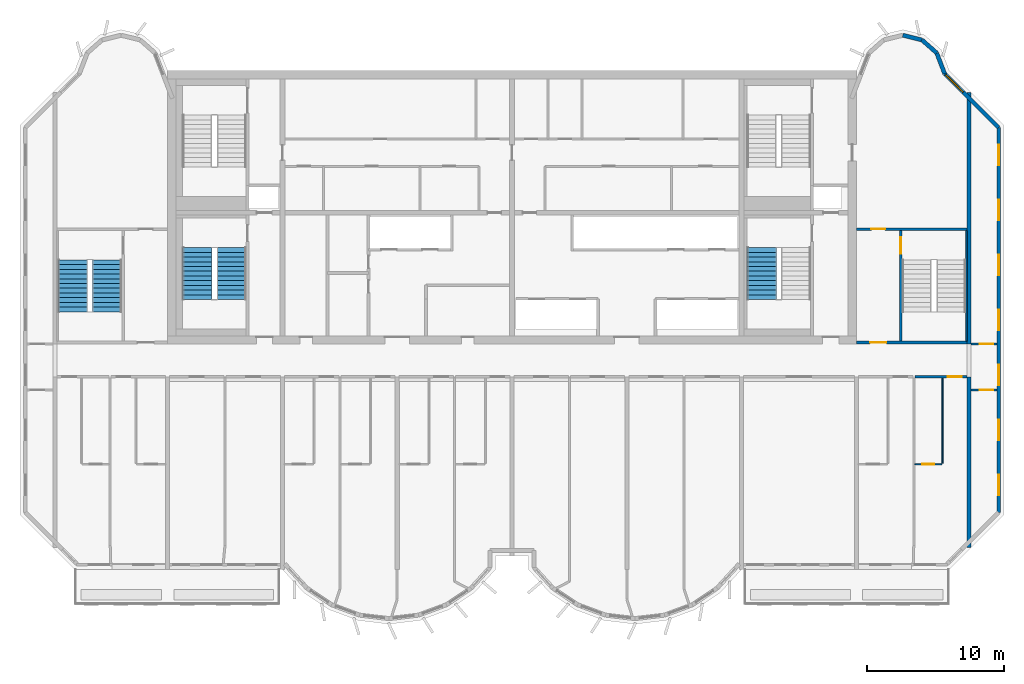
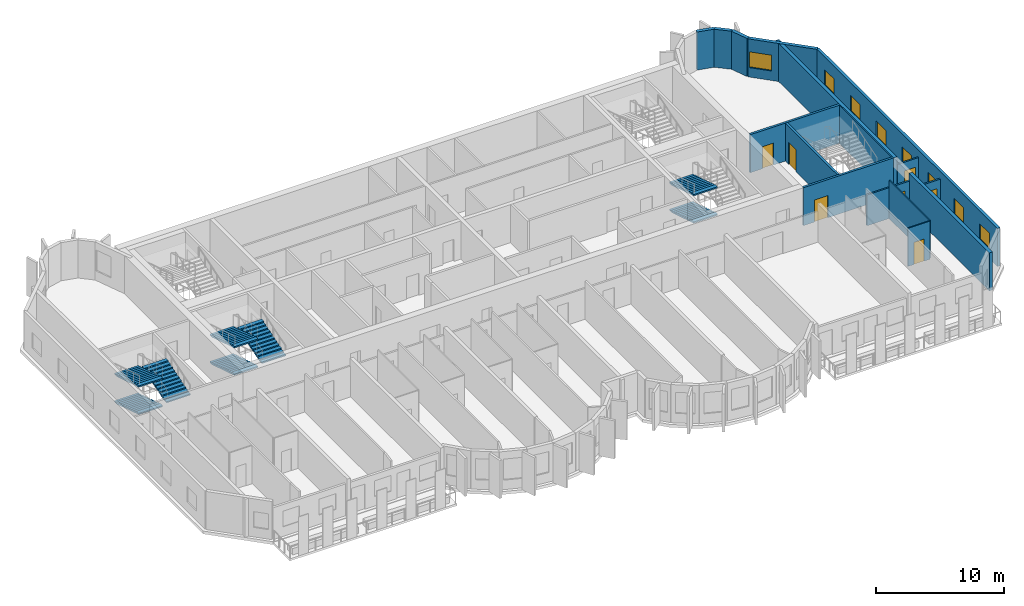
# One storey, part 8 of 11: 16 walls, 8 stair flights, 8 windows, 7 doors, 15 openings, 3 elements without a shape of their own.
"""IFC4 building model written with IfcOpenShell, lengths in metres."""

import ifcopenshell
import ifcopenshell.guid

model = None  # the IFC model being written
_history = None  # IfcOwnerHistory: only IFC2X3 demands one
_inside = {}  # id of a spatial element -> (the spatial element, [elements in it])
_under = {}  # id of a project, library or spatial element -> (it, [spatial elements below it])
_declared = {}  # id of a project -> (the project, [libraries it declares])
_typed = {}  # id of a type object -> (the type object, [elements of that type])
_made_of = {}  # id of a material, layer set ... -> (it, [elements and type objects made of it])


def new_model(schema):
    """Start an empty IFC model of exactly this schema.

    Asked for "IFC4X3", IfcOpenShell would pick the latest addendum, in which some entities
    have other attributes; the version numbers below select the first issue.
    IFC2X3 requires an IfcOwnerHistory on every rooted entity: one is made here for all.
    """
    global model, _history
    if schema == "IFC4X3":
        model = ifcopenshell.file(schema_version=(4, 3, 0, 0))
    else:
        model = ifcopenshell.file(schema=schema)
    _inside.clear()
    _under.clear()
    _declared.clear()
    _typed.clear()
    _made_of.clear()
    _history = None
    if model.schema == "IFC2X3":
        org = make("IfcOrganization", Name="unknown")
        user = make(
            "IfcPersonAndOrganization",
            ThePerson=make("IfcPerson", FamilyName="unknown"),
            TheOrganization=org,
        )
        app = make(
            "IfcApplication",
            ApplicationDeveloper=org,
            Version="unknown",
            ApplicationFullName="unknown",
            ApplicationIdentifier="unknown",
        )
        _history = make(
            "IfcOwnerHistory",
            OwningUser=user,
            OwningApplication=app,
            ChangeAction="ADDED",
            CreationDate=0,
        )
    return model


def make(cls, **values):
    """One entity of the class cls with the attributes given. An attribute that is None is left unset."""
    return model.create_entity(
        cls, **{name: value for name, value in values.items() if value is not None}
    )


def rooted(cls, **values):
    """An entity with a GlobalId (a new one), such as an element, a storey or a relation."""
    return make(cls, GlobalId=ifcopenshell.guid.new(), OwnerHistory=_history, **values)


def si_unit(unit_type, name, prefix=None):
    """IfcSIUnit, for example si_unit("LENGTHUNIT", "METRE", prefix="MILLI")."""
    return make("IfcSIUnit", UnitType=unit_type, Prefix=prefix, Name=name)


def assignment(units):
    """IfcUnitAssignment: the units of a project."""
    return None if units is None else make("IfcUnitAssignment", Units=units)


def point(xyz):
    """IfcCartesianPoint."""
    return None if xyz is None else make("IfcCartesianPoint", Coordinates=xyz)


def direction(xyz):
    """IfcDirection."""
    return None if xyz is None else make("IfcDirection", DirectionRatios=xyz)


def frame(location, z_axis=None, x_axis=None):
    """IfcAxis2Placement3D, a coordinate frame: its origin and axes. An axis left out is left unset."""
    return make(
        "IfcAxis2Placement3D",
        Location=point(location),
        Axis=direction(z_axis),
        RefDirection=direction(x_axis),
    )


def frame_2d(location, x_axis=None):
    """IfcAxis2Placement2D, a coordinate frame in the plane: its origin and x axis."""
    return make(
        "IfcAxis2Placement2D", Location=point(location), RefDirection=direction(x_axis)
    )


def origin():
    """The frame at (0, 0, 0) with its axes left unset."""
    return frame((0.0, 0.0, 0.0))


def place(relative_to, where):
    """IfcLocalPlacement: puts the frame where relative to a parent placement (None: the world)."""
    return make(
        "IfcLocalPlacement", PlacementRelTo=relative_to, RelativePlacement=where
    )


def context(
    kind, dimensions, precision=None, world=None, true_north=None, identifier=None
):
    """IfcGeometricRepresentationContext, for example the 3D "Model" context."""
    return make(
        "IfcGeometricRepresentationContext",
        ContextIdentifier=identifier,
        ContextType=kind,
        CoordinateSpaceDimension=dimensions,
        Precision=precision,
        WorldCoordinateSystem=world,
        TrueNorth=true_north,
    )


def subcontext(parent, identifier, kind, view, scale=None):
    """IfcGeometricRepresentationSubContext, for example "Body" below "Model"."""
    return make(
        "IfcGeometricRepresentationSubContext",
        ContextIdentifier=identifier,
        ContextType=kind,
        ParentContext=parent,
        TargetScale=scale,
        TargetView=view,
    )


def project(units=None, contexts=None):
    """IfcProject with its units and contexts."""
    return rooted(
        "IfcProject",
        Name="project",
        RepresentationContexts=contexts,
        UnitsInContext=assignment(units),
    )


def spatial(cls, under=None, at=None, **own):
    """A site, building, storey or space (cls), placed at a placement, below another one or the project."""
    s = rooted(cls, ObjectPlacement=at, **own)
    if under is not None:
        _under.setdefault(under.id(), (under, []))[1].append(s)
    return s


def polyline(points):
    """IfcPolyline through the points."""
    return make("IfcPolyline", Points=[point(p) for p in points])


def profile(cls, at=None, kind="AREA", **sizes):
    """A parametric profile (cls). Its sizes go by their IFC names, for example OverallWidth=200.0."""
    return make(cls, ProfileType=kind, Position=at, **sizes)


def rectangle(**sizes):
    """IfcRectangleProfileDef."""
    return profile("IfcRectangleProfileDef", **sizes)


def outline(outer, holes=None, kind="AREA"):
    """IfcArbitraryClosedProfileDef: a profile drawn as a closed curve; with holes, ...WithVoids."""
    if holes is None:
        return make("IfcArbitraryClosedProfileDef", ProfileType=kind, OuterCurve=outer)
    return make(
        "IfcArbitraryProfileDefWithVoids",
        ProfileType=kind,
        OuterCurve=outer,
        InnerCurves=holes,
    )


def extrude(swept, where, along, depth):
    """IfcExtrudedAreaSolid: the profile swept, set in the frame where, extruded along a direction by depth."""
    return make(
        "IfcExtrudedAreaSolid",
        SweptArea=swept,
        Position=where,
        ExtrudedDirection=direction(along),
        Depth=depth,
    )


def shape(context_of_items, identifier, shape_type, items):
    """IfcShapeRepresentation: the items that make up one representation, for example the "Body"."""
    return make(
        "IfcShapeRepresentation",
        ContextOfItems=context_of_items,
        RepresentationIdentifier=identifier,
        RepresentationType=shape_type,
        Items=items,
    )


def source(mapping_origin, context_of_items, identifier, shape_type, items):
    """IfcRepresentationMap: a shape defined once, which mapped items show again and again."""
    return make(
        "IfcRepresentationMap",
        MappingOrigin=mapping_origin,
        MappedRepresentation=shape(context_of_items, identifier, shape_type, items),
    )


def transform(
    local_origin,
    x_axis=None,
    y_axis=None,
    z_axis=None,
    scale=None,
    scale2=None,
    scale3=None,
    uniform=True,
):
    """IfcCartesianTransformationOperator3D, or its non-uniform kind. x_axis, y_axis, z_axis: its Axis1, 2, 3."""
    if uniform:
        return make(
            "IfcCartesianTransformationOperator3D",
            Axis1=direction(x_axis),
            Axis2=direction(y_axis),
            LocalOrigin=point(local_origin),
            Scale=scale,
            Axis3=direction(z_axis),
        )
    return make(
        "IfcCartesianTransformationOperator3DnonUniform",
        Axis1=direction(x_axis),
        Axis2=direction(y_axis),
        LocalOrigin=point(local_origin),
        Scale=scale,
        Axis3=direction(z_axis),
        Scale2=scale2,
        Scale3=scale3,
    )


def mapped(mapping_source, mapping_target):
    """IfcMappedItem: shows the shape of a source again, moved by a transform."""
    return make(
        "IfcMappedItem", MappingSource=mapping_source, MappingTarget=mapping_target
    )


def material(Name=None, Category=None):
    """IfcMaterial."""
    return make("IfcMaterial", Name=Name, Category=Category)


def layer(
    of_material, thickness, ventilated=None, Name=None, Category=None, Priority=None
):
    """IfcMaterialLayer: one layer of a wall or slab, of a material (None: an air gap)."""
    return make(
        "IfcMaterialLayer",
        Material=of_material,
        LayerThickness=thickness,
        IsVentilated=ventilated,
        Name=Name,
        Category=Category,
        Priority=Priority,
    )


def layer_set(layers, Name=None):
    """IfcMaterialLayerSet."""
    return make("IfcMaterialLayerSet", MaterialLayers=layers, LayerSetName=Name)


def made_of(thing, what):
    """Note that an element or type object is made of a material, layer set ...; save() writes the relation."""
    if what is not None:
        _made_of.setdefault(what.id(), (what, []))[1].append(thing)
    return thing


def type_object(cls, material=None, **own):
    """A type object (cls), such as IfcWallType, which elements share."""
    return made_of(rooted(cls, **own), material)


def element(
    cls,
    number,
    at=None,
    inside=None,
    cuts=None,
    type_object=None,
    material=None,
    context=None,
    identifier="Body",
    shape_type=None,
    held_by="IfcProductDefinitionShape",
    body=None,
    shapes=None,
    **own,
):
    """One element of the class cls, such as IfcWall. Its Tag is "e" and its number.

    at: its placement. inside: the storey or other place that contains it. cuts: it is an
    opening in that element (IfcRelVoidsElement). A single representation is given by context,
    identifier, shape_type and body (its items); several are given by shapes. held_by: the class
    of the entity that holds the representations. save() writes the other relations.
    """
    e = rooted(cls, Tag="e%d" % number, ObjectPlacement=at, **own)
    if body is not None:
        shapes = [shape(context, identifier, shape_type, body)]
    if shapes is not None:
        e.Representation = make(held_by, Representations=shapes)
    if inside is not None:
        _inside.setdefault(inside.id(), (inside, []))[1].append(e)
    if cuts is not None:
        rooted(
            "IfcRelVoidsElement", RelatingBuildingElement=cuts, RelatedOpeningElement=e
        )
    if type_object is not None:
        _typed.setdefault(type_object.id(), (type_object, []))[1].append(e)
    return made_of(e, material)


def fill(opening, filler):
    """IfcRelFillsElement: the door or window that sits in an opening."""
    return rooted(
        "IfcRelFillsElement",
        RelatingOpeningElement=opening,
        RelatedBuildingElement=filler,
    )


def aggregate(whole, parts):
    """IfcRelAggregates: a whole, such as a stair, and the parts it consists of."""
    return rooted("IfcRelAggregates", RelatingObject=whole, RelatedObjects=parts)


def save(model, path):
    """Write the relations noted so far, then the file.

    IfcRelAggregates (storeys below a building ...), IfcRelContainedInSpatialStructure (elements
    in a storey), IfcRelDefinesByType, IfcRelAssociatesMaterial and IfcRelDeclares: one each for
    every whole, place, type object, material and project.
    """
    for whole, parts in _under.values():
        aggregate(whole, parts)
    for where, things in _inside.values():
        rooted(
            "IfcRelContainedInSpatialStructure",
            RelatedElements=things,
            RelatingStructure=where,
        )
    for kind, things in _typed.values():
        rooted("IfcRelDefinesByType", RelatedObjects=things, RelatingType=kind)
    for what, things in _made_of.values():
        rooted("IfcRelAssociatesMaterial", RelatedObjects=things, RelatingMaterial=what)
    for by, libraries in _declared.values():
        rooted("IfcRelDeclares", RelatingContext=by, RelatedDefinitions=libraries)
    model.write(path)


model = new_model("IFC4")

# Units and contexts
model_context = context("Model", 3, precision=1e-05, world=origin(), true_north=direction((0.0, 1.0)))
body_context = subcontext(model_context, "Body", "Model", "MODEL_VIEW")
ifc_project = project(units=[si_unit("LENGTHUNIT", "METRE"), si_unit("AREAUNIT", "SQUARE_METRE"), si_unit("VOLUMEUNIT", "CUBIC_METRE"), si_unit("PLANEANGLEUNIT", "RADIAN"), si_unit("MASSUNIT", "GRAM", prefix="KILO")], contexts=[model_context])

# Site, building, storey
site_placement = place(None, origin())
site = spatial("IfcSite", under=ifc_project, at=site_placement, CompositionType="ELEMENT")
building_placement = place(site_placement, origin())
building = spatial("IfcBuilding", under=site, at=building_placement, Name="Vanashikhar Sky Hotel", CompositionType="ELEMENT")
storey_placement = place(building_placement, frame((0.0, 0.0, 241.300048828125)))
storey = spatial("IfcBuildingStorey", under=building, at=storey_placement, Name="L58", CompositionType="ELEMENT", Elevation=241.300048828125)

# Walls
ifc_material_1 = material(Name="Concrete M60", Category="concrete")
ifc_layer_1 = layer(ifc_material_1, 0.300048828125)
ifc_layer_set_1 = layer_set([ifc_layer_1], Name="RC shear wall 300 Concrete M60")
wall_type_1 = type_object("IfcWallType", Name="RC shear wall 300 Concrete M60", PredefinedType="SHEAR", material=ifc_layer_set_1)
shared_shape_1 = source(origin(), body_context, "Body", "SweptSolid", [
    extrude(rectangle(XDim=12.5, YDim=0.300048828125, at=frame_2d((6.25, 0.0))), origin(), (0.0, 0.0, 1.0), 3.619873046875),
])
wall_1_placement = place(storey_placement, frame((83.85009765625, 7.10009765625, 0.0), z_axis=(0.0, 0.0, 1.0), x_axis=(0.0, 1.0, 0.0)))
element("IfcWall", 1, at=wall_1_placement, inside=storey, type_object=wall_type_1, Name="CW-L58-XW11-1", PredefinedType="SHEAR", context=body_context, shape_type="MappedRepresentation", body=[
    mapped(shared_shape_1, transform((0.0, 0.0, 0.0), scale=1.0)),
])
shared_shape_2 = source(origin(), body_context, "Body", "SweptSolid", [
    extrude(rectangle(XDim=18.39990234375, YDim=0.300048828125, at=frame_2d((9.199951171875, 0.0))), origin(), (0.0, 0.0, 1.0), 3.619873046875),
])
wall_2_placement = place(storey_placement, frame((83.85009765625, 22.0, 0.0), z_axis=(0.0, 0.0, 1.0), x_axis=(0.0, 1.0, 0.0)))
element("IfcWall", 2, at=wall_2_placement, inside=storey, type_object=wall_type_1, Name="CW-L58-XW11-2", PredefinedType="SHEAR", context=body_context, shape_type="MappedRepresentation", body=[
    mapped(shared_shape_2, transform((0.0, 0.0, 0.0), scale=1.0)),
])

# Wall, opening, window
ifc_material_2 = material(Name="Concrete M50", Category="concrete")
ifc_layer_2 = layer(ifc_material_2, 0.300048828125)
ifc_layer_set_2 = layer_set([ifc_layer_2], Name="Lobe wall 300")
wall_type_2 = type_object("IfcWallType", Name="Lobe wall 300", PredefinedType="SOLIDWALL", material=ifc_layer_set_2)
shared_shape_3 = source(origin(), body_context, "Body", "SweptSolid", [
    extrude(rectangle(XDim=5.576416015625, YDim=0.300048828125, at=frame_2d((2.7880859375, 0.0))), origin(), (0.0, 0.0, 1.0), 3.619873046875),
])
wall_3_placement = place(storey_placement, frame((86.0, 37.834228515625, 0.0), z_axis=(0.0, 0.0, 1.0), x_axis=(-0.707106781187, 0.707106781187, 0.0)))
wall_3 = element("IfcWall", 3, at=wall_3_placement, inside=storey, type_object=wall_type_2, Name="Corner wall", PredefinedType="SOLIDWALL", context=body_context, shape_type="MappedRepresentation", body=[
    mapped(shared_shape_3, transform((0.0, 0.0, 0.0), scale=1.0)),
])
shared_shape_4 = source(origin(), body_context, "Body", "SweptSolid", [
    extrude(rectangle(XDim=1.800048828125, YDim=1.5, at=frame_2d((0.89990234375, 0.75))), frame((0.0, 0.16015625, 0.0), z_axis=(0.0, -1.0, 0.0), x_axis=(1.0, 0.0, 0.0)), (0.0, 0.0, 1.0), 0.320068359375),
])
opening_1_placement = place(wall_3_placement, frame((3.658447265625, 0.0, 0.89990234375)))
opening_1 = element("IfcOpeningElement", 4, at=opening_1_placement, cuts=wall_3, Name="Opening WN-4", PredefinedType="OPENING", context=body_context, shape_type="MappedRepresentation", body=[
    mapped(shared_shape_4, transform((0.0, 0.0, 0.0), scale=1.0)),
])
ifc_material_3 = material(Name="Glass", Category="glass")
window_type_1 = type_object("IfcWindowType", Name="Corner window 1800 x 1500", PartitioningType="SINGLE_PANEL", PredefinedType="WINDOW", material=ifc_material_3)
shared_shape_5 = source(origin(), body_context, "Body", "SweptSolid", [
    extrude(rectangle(XDim=1.800048828125, YDim=1.5, at=frame_2d((0.89990234375, 0.75))), frame((0.0, 0.030029296875, 0.0), z_axis=(0.0, -1.0, 0.0), x_axis=(1.0, 0.0, 0.0)), (0.0, 0.0, 1.0), 0.06005859375),
])
window_1_placement = place(opening_1_placement, origin())
window_1 = element("IfcWindow", 5, at=window_1_placement, inside=storey, type_object=window_type_1, Name="Window WN-4", OverallHeight=1.5, OverallWidth=1.800048828125, PartitioningType="SINGLE_PANEL", PredefinedType="WINDOW", context=body_context, shape_type="MappedRepresentation", body=[
    mapped(shared_shape_5, transform((0.0, 0.0, 0.0), scale=1.0)),
])
fill(opening_1, window_1)

# Walls
shared_shape_6 = source(origin(), body_context, "Body", "SweptSolid", [
    extrude(rectangle(XDim=1.438720703125, YDim=0.300048828125, at=frame_2d((0.71923828125, 0.0))), origin(), (0.0, 0.0, 1.0), 3.619873046875),
])
wall_4_placement = place(storey_placement, frame((80.397216796875, 44.2451171875, 0.0), z_axis=(0.0, 0.0, 1.0), x_axis=(-0.971161932466, 0.238420848351, 0.0)))
element("IfcWall", 6, at=wall_4_placement, inside=storey, type_object=wall_type_2, Name="Lobe wall", PredefinedType="SOLIDWALL", context=body_context, shape_type="MappedRepresentation", body=[
    mapped(shared_shape_6, transform((0.0, 0.0, 0.0), scale=1.0)),
])
shared_shape_7 = source(origin(), body_context, "Body", "SweptSolid", [
    extrude(rectangle(XDim=1.43994140625, YDim=0.300048828125, at=frame_2d((0.719970703125, 0.0))), origin(), (0.0, 0.0, 1.0), 3.619873046875),
])
wall_5_placement = place(storey_placement, frame((81.4765625, 43.2919921875, 0.0), z_axis=(0.0, 0.0, 1.0), x_axis=(-0.74957555648, 0.661918790432, 0.0)))
element("IfcWall", 7, at=wall_5_placement, inside=storey, type_object=wall_type_2, Name="Lobe wall", PredefinedType="SOLIDWALL", context=body_context, shape_type="MappedRepresentation", body=[
    mapped(shared_shape_7, transform((0.0, 0.0, 0.0), scale=1.0)),
])
shared_shape_8 = source(origin(), body_context, "Body", "SweptSolid", [
    extrude(rectangle(XDim=1.6220703125, YDim=0.300048828125, at=frame_2d((0.81103515625, 0.0))), origin(), (0.0, 0.0, 1.0), 3.619873046875),
])
wall_6_placement = place(storey_placement, frame((82.056884765625, 41.77734375, 0.0), z_axis=(0.0, 0.0, 1.0), x_axis=(-0.357778527068, 0.933806471154, 0.0)))
element("IfcWall", 8, at=wall_6_placement, inside=storey, type_object=wall_type_2, Name="Lobe wall", PredefinedType="SOLIDWALL", context=body_context, shape_type="MappedRepresentation", body=[
    mapped(shared_shape_8, transform((0.0, 0.0, 0.0), scale=1.0)),
])

# Wall, openings, windows
ifc_layer_3 = layer(ifc_material_2, 0.25)
ifc_layer_set_3 = layer_set([ifc_layer_3], Name="Rear and end board-marked wall 250")
wall_type_3 = type_object("IfcWallType", Name="Rear and end board-marked wall 250", PredefinedType="SOLIDWALL", material=ifc_layer_set_3)
shared_shape_9 = source(origin(), body_context, "Body", "SweptSolid", [
    extrude(rectangle(XDim=28.189453125, YDim=0.25, at=frame_2d((14.0947265625, 0.0))), origin(), (0.0, 0.0, 1.0), 3.619873046875),
])
wall_7_placement = place(storey_placement, frame((86.02490234375, 9.6552734375, 0.0), z_axis=(0.0, 0.0, 1.0), x_axis=(0.0, 1.0, 0.0)))
wall_7 = element("IfcWall", 9, at=wall_7_placement, inside=storey, type_object=wall_type_3, Name="End board-marked wall", PredefinedType="SOLIDWALL", context=body_context, shape_type="MappedRepresentation", body=[
    mapped(shared_shape_9, transform((0.0, 0.0, 0.0), scale=1.0)),
])
shared_shape_10 = source(origin(), body_context, "Body", "SweptSolid", [
    extrude(rectangle(XDim=1.5, YDim=1.5, at=frame_2d((0.75, 0.75))), frame((0.0, 0.135009765625, 0.0), z_axis=(0.0, -1.0, 0.0), x_axis=(1.0, 0.0, 0.0)), (0.0, 0.0, 1.0), 0.27001953125),
])
opening_2_placement = place(wall_7_placement, frame((1.263427734375, 0.0, 0.89990234375)))
opening_2 = element("IfcOpeningElement", 10, at=opening_2_placement, cuts=wall_7, Name="Opening WN-1", PredefinedType="OPENING", context=body_context, shape_type="MappedRepresentation", body=[
    mapped(shared_shape_10, transform((0.0, 0.0, 0.0), scale=1.0)),
])
opening_3_placement = place(wall_7_placement, frame((5.29052734375, 0.0, 0.89990234375)))
opening_3 = element("IfcOpeningElement", 11, at=opening_3_placement, cuts=wall_7, Name="Opening WN-1", PredefinedType="OPENING", context=body_context, shape_type="MappedRepresentation", body=[
    mapped(shared_shape_10, transform((0.0, 0.0, 0.0), scale=1.0)),
])
opening_4_placement = place(wall_7_placement, frame((9.317626953125, 0.0, 0.89990234375)))
opening_4 = element("IfcOpeningElement", 12, at=opening_4_placement, cuts=wall_7, Name="Opening WN-1", PredefinedType="OPENING", context=body_context, shape_type="MappedRepresentation", body=[
    mapped(shared_shape_10, transform((0.0, 0.0, 0.0), scale=1.0)),
])
opening_5_placement = place(wall_7_placement, frame((13.3447265625, 0.0, 0.89990234375)))
opening_5 = element("IfcOpeningElement", 13, at=opening_5_placement, cuts=wall_7, Name="Opening WN-1", PredefinedType="OPENING", context=body_context, shape_type="MappedRepresentation", body=[
    mapped(shared_shape_10, transform((0.0, 0.0, 0.0), scale=1.0)),
])
opening_6_placement = place(wall_7_placement, frame((17.371826171875, 0.0, 0.89990234375)))
opening_6 = element("IfcOpeningElement", 14, at=opening_6_placement, cuts=wall_7, Name="Opening WN-1", PredefinedType="OPENING", context=body_context, shape_type="MappedRepresentation", body=[
    mapped(shared_shape_10, transform((0.0, 0.0, 0.0), scale=1.0)),
])
opening_7_placement = place(wall_7_placement, frame((21.398681640625, 0.0, 0.89990234375)))
opening_7 = element("IfcOpeningElement", 15, at=opening_7_placement, cuts=wall_7, Name="Opening WN-1", PredefinedType="OPENING", context=body_context, shape_type="MappedRepresentation", body=[
    mapped(shared_shape_10, transform((0.0, 0.0, 0.0), scale=1.0)),
])
opening_8_placement = place(wall_7_placement, frame((25.42578125, 0.0, 0.89990234375)))
opening_8 = element("IfcOpeningElement", 16, at=opening_8_placement, cuts=wall_7, Name="Opening WN-1", PredefinedType="OPENING", context=body_context, shape_type="MappedRepresentation", body=[
    mapped(shared_shape_10, transform((0.0, 0.0, 0.0), scale=1.0)),
])
window_type_2 = type_object("IfcWindowType", Name="Window 1500 x 1500", PartitioningType="SINGLE_PANEL", PredefinedType="WINDOW", material=ifc_material_3)
shared_shape_11 = source(origin(), body_context, "Body", "SweptSolid", [
    extrude(rectangle(XDim=1.5, YDim=1.5, at=frame_2d((0.75, 0.75))), frame((0.0, 0.030029296875, 0.0), z_axis=(0.0, -1.0, 0.0), x_axis=(1.0, 0.0, 0.0)), (0.0, 0.0, 1.0), 0.06005859375),
])
window_2_placement = place(opening_2_placement, origin())
window_2 = element("IfcWindow", 17, at=window_2_placement, inside=storey, type_object=window_type_2, Name="Window WN-1", OverallHeight=1.5, OverallWidth=1.5, PartitioningType="SINGLE_PANEL", PredefinedType="WINDOW", context=body_context, shape_type="MappedRepresentation", body=[
    mapped(shared_shape_11, transform((0.0, 0.0, 0.0), scale=1.0)),
])
fill(opening_2, window_2)
window_3_placement = place(opening_3_placement, origin())
window_3 = element("IfcWindow", 18, at=window_3_placement, inside=storey, type_object=window_type_2, Name="Window WN-1", OverallHeight=1.5, OverallWidth=1.5, PartitioningType="SINGLE_PANEL", PredefinedType="WINDOW", context=body_context, shape_type="MappedRepresentation", body=[
    mapped(shared_shape_11, transform((0.0, 0.0, 0.0), scale=1.0)),
])
fill(opening_3, window_3)
window_4_placement = place(opening_4_placement, origin())
window_4 = element("IfcWindow", 19, at=window_4_placement, inside=storey, type_object=window_type_2, Name="Window WN-1", OverallHeight=1.5, OverallWidth=1.5, PartitioningType="SINGLE_PANEL", PredefinedType="WINDOW", context=body_context, shape_type="MappedRepresentation", body=[
    mapped(shared_shape_11, transform((0.0, 0.0, 0.0), scale=1.0)),
])
fill(opening_4, window_4)
window_5_placement = place(opening_5_placement, origin())
window_5 = element("IfcWindow", 20, at=window_5_placement, inside=storey, type_object=window_type_2, Name="Window WN-1", OverallHeight=1.5, OverallWidth=1.5, PartitioningType="SINGLE_PANEL", PredefinedType="WINDOW", context=body_context, shape_type="MappedRepresentation", body=[
    mapped(shared_shape_11, transform((0.0, 0.0, 0.0), scale=1.0)),
])
fill(opening_5, window_5)
window_6_placement = place(opening_6_placement, origin())
window_6 = element("IfcWindow", 21, at=window_6_placement, inside=storey, type_object=window_type_2, Name="Window WN-1", OverallHeight=1.5, OverallWidth=1.5, PartitioningType="SINGLE_PANEL", PredefinedType="WINDOW", context=body_context, shape_type="MappedRepresentation", body=[
    mapped(shared_shape_11, transform((0.0, 0.0, 0.0), scale=1.0)),
])
fill(opening_6, window_6)
window_7_placement = place(opening_7_placement, origin())
window_7 = element("IfcWindow", 22, at=window_7_placement, inside=storey, type_object=window_type_2, Name="Window WN-1", OverallHeight=1.5, OverallWidth=1.5, PartitioningType="SINGLE_PANEL", PredefinedType="WINDOW", context=body_context, shape_type="MappedRepresentation", body=[
    mapped(shared_shape_11, transform((0.0, 0.0, 0.0), scale=1.0)),
])
fill(opening_7, window_7)
window_8_placement = place(opening_8_placement, origin())
window_8 = element("IfcWindow", 23, at=window_8_placement, inside=storey, type_object=window_type_2, Name="Window WN-1", OverallHeight=1.5, OverallWidth=1.5, PartitioningType="SINGLE_PANEL", PredefinedType="WINDOW", context=body_context, shape_type="MappedRepresentation", body=[
    mapped(shared_shape_11, transform((0.0, 0.0, 0.0), scale=1.0)),
])
fill(opening_8, window_8)

# Wall, opening, door
ifc_layer_4 = layer(ifc_material_2, 0.199951171875)
ifc_layer_set_4 = layer_set([ifc_layer_4], Name="Stair wall 200")
wall_type_4 = type_object("IfcWallType", Name="Stair wall 200", PredefinedType="SOLIDWALL", material=ifc_layer_set_4)
shared_shape_12 = source(origin(), body_context, "Body", "SweptSolid", [
    extrude(rectangle(XDim=8.2998046875, YDim=0.199951171875, at=frame_2d((4.14990234375, 0.0))), origin(), (0.0, 0.0, 1.0), 3.619873046875),
])
wall_8_placement = place(storey_placement, frame((78.85009765625, 22.10009765625, 0.0), z_axis=(0.0, 0.0, 1.0), x_axis=(0.0, 1.0, 0.0)))
wall_8 = element("IfcWall", 24, at=wall_8_placement, inside=storey, type_object=wall_type_4, Name="Stair wall 200", PredefinedType="SOLIDWALL", context=body_context, shape_type="MappedRepresentation", body=[
    mapped(shared_shape_12, transform((0.0, 0.0, 0.0), scale=1.0)),
])
shared_shape_13 = source(origin(), body_context, "Body", "SweptSolid", [
    extrude(rectangle(XDim=1.199951171875, YDim=2.10009765625, at=frame_2d((0.60009765625, 1.050048828125))), frame((0.0, 0.10986328125, 0.0), z_axis=(0.0, -1.0, 0.0), x_axis=(1.0, 0.0, 0.0)), (0.0, 0.0, 1.0), 0.219970703125),
])
opening_9_placement = place(wall_8_placement, frame((6.5, 0.0, 0.0)))
opening_9 = element("IfcOpeningElement", 25, at=opening_9_placement, cuts=wall_8, Name="Opening DC-1", PredefinedType="OPENING", context=body_context, shape_type="MappedRepresentation", body=[
    mapped(shared_shape_13, transform((0.0, 0.0, 0.0), scale=1.0)),
])
ifc_material_4 = material(Name="Steel", Category="steel")
door_type_1 = type_object("IfcDoorType", Name="Stair door 1200 FD120", OperationType="NOTDEFINED", PredefinedType="DOOR", material=ifc_material_4)
shared_shape_14 = source(origin(), body_context, "Body", "SweptSolid", [
    extrude(rectangle(XDim=1.199951171875, YDim=2.10009765625, at=frame_2d((0.60009765625, 1.050048828125))), frame((0.0, 0.02490234375, 0.0), z_axis=(0.0, -1.0, 0.0), x_axis=(1.0, 0.0, 0.0)), (0.0, 0.0, 1.0), 0.050048828125),
])
door_1_placement = place(opening_9_placement, origin())
door_1 = element("IfcDoor", 26, at=door_1_placement, inside=storey, type_object=door_type_1, Name="Stair door 1200 FD120", OperationType="SINGLE_SWING_RIGHT", OverallHeight=2.10009765625, OverallWidth=1.199951171875, PredefinedType="DOOR", context=body_context, shape_type="MappedRepresentation", body=[
    mapped(shared_shape_14, transform((0.0, 0.0, 0.0), scale=1.0)),
])
fill(opening_9, door_1)

shared_shape_15 = source(origin(), body_context, "Body", "SweptSolid", [
    extrude(rectangle(XDim=8.099853515625, YDim=0.199951171875, at=frame_2d((4.0498046875, 0.0))), origin(), (0.0, 0.0, 1.0), 3.619873046875),
])
wall_9_placement = place(storey_placement, frame((83.699951171875, 22.10009765625, 0.0), z_axis=(0.0, 0.0, 1.0), x_axis=(-1.0, 0.0, 0.0)))
wall_9 = element("IfcWall", 27, at=wall_9_placement, inside=storey, type_object=wall_type_4, Name="Stair wall 200", PredefinedType="SOLIDWALL", context=body_context, shape_type="MappedRepresentation", body=[
    mapped(shared_shape_15, transform((0.0, 0.0, 0.0), scale=1.0)),
])
opening_10_placement = place(wall_9_placement, frame((5.89990234375, 0.0, 0.0)))
opening_10 = element("IfcOpeningElement", 28, at=opening_10_placement, cuts=wall_9, Name="Opening DC-2", PredefinedType="OPENING", context=body_context, shape_type="MappedRepresentation", body=[
    mapped(shared_shape_13, transform((0.0, 0.0, 0.0), scale=1.0)),
])
door_type_2 = type_object("IfcDoorType", Name="Firefighting lobby door 1200 FD120", OperationType="NOTDEFINED", PredefinedType="DOOR", material=ifc_material_4)
door_2_placement = place(opening_10_placement, origin())
door_2 = element("IfcDoor", 29, at=door_2_placement, inside=storey, type_object=door_type_2, Name="Firefighting lobby door 1200 FD120", OperationType="SINGLE_SWING_RIGHT", OverallHeight=2.10009765625, OverallWidth=1.199951171875, PredefinedType="DOOR", context=body_context, shape_type="MappedRepresentation", body=[
    mapped(shared_shape_14, transform((0.0, 0.0, 0.0), scale=1.0)),
])
fill(opening_10, door_2)

wall_10_placement = place(storey_placement, frame((83.699951171875, 30.39990234375, 0.0), z_axis=(0.0, 0.0, 1.0), x_axis=(-1.0, 0.0, 0.0)))
wall_10 = element("IfcWall", 30, at=wall_10_placement, inside=storey, type_object=wall_type_4, Name="Stair wall 200", PredefinedType="SOLIDWALL", context=body_context, shape_type="MappedRepresentation", body=[
    mapped(shared_shape_15, transform((0.0, 0.0, 0.0), scale=1.0)),
])
shared_shape_16 = source(origin(), body_context, "Body", "SweptSolid", [
    extrude(rectangle(XDim=1.0, YDim=2.10009765625, at=frame_2d((0.5, 1.050048828125))), frame((0.0, 0.10986328125, 0.0), z_axis=(0.0, -1.0, 0.0), x_axis=(1.0, 0.0, 0.0)), (0.0, 0.0, 1.0), 0.219970703125),
])
opening_11_placement = place(wall_10_placement, frame((6.0, 0.0, 0.0)))
opening_11 = element("IfcOpeningElement", 31, at=opening_11_placement, cuts=wall_10, Name="Opening DC-6", PredefinedType="OPENING", context=body_context, shape_type="MappedRepresentation", body=[
    mapped(shared_shape_16, transform((0.0, 0.0, 0.0), scale=1.0)),
])
door_type_3 = type_object("IfcDoorType", Name="Pocket door 1000 FD60", OperationType="NOTDEFINED", PredefinedType="DOOR", material=ifc_material_4)
shared_shape_17 = source(origin(), body_context, "Body", "SweptSolid", [
    extrude(rectangle(XDim=1.0, YDim=2.10009765625, at=frame_2d((0.5, 1.050048828125))), frame((0.0, 0.02490234375, 0.0), z_axis=(0.0, -1.0, 0.0), x_axis=(1.0, 0.0, 0.0)), (0.0, 0.0, 1.0), 0.050048828125),
])
door_3_placement = place(opening_11_placement, origin())
door_3 = element("IfcDoor", 32, at=door_3_placement, inside=storey, type_object=door_type_3, Name="Pocket door 1000 FD60", OperationType="SINGLE_SWING_RIGHT", OverallHeight=2.10009765625, OverallWidth=1.0, PredefinedType="DOOR", context=body_context, shape_type="MappedRepresentation", body=[
    mapped(shared_shape_17, transform((0.0, 0.0, 0.0), scale=1.0)),
])
fill(opening_11, door_3)

# Wall
ifc_layer_5 = layer(ifc_material_2, 0.10009765625)
ifc_layer_set_5 = layer_set([ifc_layer_5], Name="Stair infill wall 100")
wall_type_5 = type_object("IfcWallType", Name="Stair infill wall 100", PredefinedType="SOLIDWALL", material=ifc_layer_set_5)
shared_shape_18 = source(origin(), body_context, "Body", "SweptSolid", [
    extrude(rectangle(XDim=8.10009765625, YDim=0.10009765625, at=frame_2d((4.050048828125, 0.0))), origin(), (0.0, 0.0, 1.0), 3.619873046875),
])
wall_11_placement = place(storey_placement, frame((83.64990234375, 22.199951171875, 0.0), z_axis=(0.0, 0.0, 1.0), x_axis=(0.0, 1.0, 0.0)))
element("IfcWall", 33, at=wall_11_placement, inside=storey, type_object=wall_type_5, Name="Stair infill wall 100", PredefinedType="SOLIDWALL", context=body_context, shape_type="MappedRepresentation", body=[
    mapped(shared_shape_18, transform((0.0, 0.0, 0.0), scale=1.0)),
])

# Wall, opening, door
ifc_material_5 = material(Name="Gypsum plasterboard partition")
ifc_layer_6 = layer(ifc_material_5, 0.14990234375)
ifc_layer_set_6 = layer_set([ifc_layer_6], Name="Corridor and demising partition 150")
wall_type_6 = type_object("IfcWallType", Name="Corridor and demising partition 150", PredefinedType="PARTITIONING", material=ifc_layer_set_6)
shared_shape_19 = source(origin(), body_context, "Body", "SweptSolid", [
    extrude(rectangle(XDim=3.824951171875, YDim=0.14990234375, at=frame_2d((1.91259765625, 0.0))), origin(), (0.0, 0.0, 1.0), 2.919921875),
])
wall_12_placement = place(storey_placement, frame((79.875, 19.60009765625, 0.0), z_axis=(0.0, 0.0, 1.0), x_axis=(1.0, 0.0, 0.0)))
wall_12 = element("IfcWall", 34, at=wall_12_placement, inside=storey, type_object=wall_type_6, Name="W-L58-PW037", PredefinedType="PARTITIONING", context=body_context, shape_type="MappedRepresentation", body=[
    mapped(shared_shape_19, transform((0.0, 0.0, 0.0), scale=1.0)),
])
shared_shape_20 = source(origin(), body_context, "Body", "SweptSolid", [
    extrude(rectangle(XDim=1.0, YDim=2.10009765625, at=frame_2d((0.5, 1.050048828125))), frame((0.0, 0.0849609375, 0.0), z_axis=(0.0, -1.0, 0.0), x_axis=(1.0, 0.0, 0.0)), (0.0, 0.0, 1.0), 0.169921875),
])
opening_12_placement = place(wall_12_placement, frame((2.425048828125, 0.0, 0.0)))
opening_12 = element("IfcOpeningElement", 35, at=opening_12_placement, cuts=wall_12, Name="Opening D-01", PredefinedType="OPENING", context=body_context, shape_type="MappedRepresentation", body=[
    mapped(shared_shape_20, transform((0.0, 0.0, 0.0), scale=1.0)),
])
ifc_material_6 = material(Name="Timber fire door", Category="wood")
door_type_4 = type_object("IfcDoorType", Name="Guest entry door 1000 FD30S", OperationType="NOTDEFINED", PredefinedType="DOOR", material=ifc_material_6)
door_4_placement = place(opening_12_placement, origin())
door_4 = element("IfcDoor", 36, at=door_4_placement, inside=storey, type_object=door_type_4, Name="D-L58-023", OperationType="SINGLE_SWING_RIGHT", OverallHeight=2.10009765625, OverallWidth=1.0, PredefinedType="DOOR", context=body_context, shape_type="MappedRepresentation", body=[
    mapped(shared_shape_17, transform((0.0, 0.0, 0.0), scale=1.0)),
])
fill(opening_12, door_4)

shared_shape_21 = source(origin(), body_context, "Body", "SweptSolid", [
    extrude(rectangle(XDim=1.89990234375, YDim=0.14990234375, at=frame_2d((0.949951171875, 0.0))), origin(), (0.0, 0.0, 1.0), 2.919921875),
])
wall_13_placement = place(storey_placement, frame((84.0, 22.0, 0.0), z_axis=(0.0, 0.0, 1.0), x_axis=(1.0, 0.0, 0.0)))
wall_13 = element("IfcWall", 37, at=wall_13_placement, inside=storey, type_object=wall_type_6, Name="W-L58-PW042", PredefinedType="PARTITIONING", context=body_context, shape_type="MappedRepresentation", body=[
    mapped(shared_shape_21, transform((0.0, 0.0, 0.0), scale=1.0)),
])
opening_13_placement = place(wall_13_placement, frame((0.625, 0.0, 0.0)))
opening_13 = element("IfcOpeningElement", 38, at=opening_13_placement, cuts=wall_13, Name="Opening D-01", PredefinedType="OPENING", context=body_context, shape_type="MappedRepresentation", body=[
    mapped(shared_shape_20, transform((0.0, 0.0, 0.0), scale=1.0)),
])
door_5_placement = place(opening_13_placement, origin())
door_5 = element("IfcDoor", 39, at=door_5_placement, inside=storey, type_object=door_type_4, Name="D-L58-025", OperationType="SINGLE_SWING_RIGHT", OverallHeight=2.10009765625, OverallWidth=1.0, PredefinedType="DOOR", context=body_context, shape_type="MappedRepresentation", body=[
    mapped(shared_shape_17, transform((0.0, 0.0, 0.0), scale=1.0)),
])
fill(opening_13, door_5)

wall_14_placement = place(storey_placement, frame((84.0, 18.6279296875, 0.0), z_axis=(0.0, 0.0, 1.0), x_axis=(1.0, 0.0, 0.0)))
wall_14 = element("IfcWall", 40, at=wall_14_placement, inside=storey, type_object=wall_type_6, Name="W-L58-PW044", PredefinedType="PARTITIONING", context=body_context, shape_type="MappedRepresentation", body=[
    mapped(shared_shape_21, transform((0.0, 0.0, 0.0), scale=1.0)),
])
opening_14_placement = place(wall_14_placement, frame((0.625, 0.0, 0.0)))
opening_14 = element("IfcOpeningElement", 41, at=opening_14_placement, cuts=wall_14, Name="Opening D-01", PredefinedType="OPENING", context=body_context, shape_type="MappedRepresentation", body=[
    mapped(shared_shape_20, transform((0.0, 0.0, 0.0), scale=1.0)),
])
door_6_placement = place(opening_14_placement, origin())
door_6 = element("IfcDoor", 42, at=door_6_placement, inside=storey, type_object=door_type_4, Name="D-L58-027", OperationType="SINGLE_SWING_RIGHT", OverallHeight=2.10009765625, OverallWidth=1.0, PredefinedType="DOOR", context=body_context, shape_type="MappedRepresentation", body=[
    mapped(shared_shape_17, transform((0.0, 0.0, 0.0), scale=1.0)),
])
fill(opening_14, door_6)

ifc_layer_7 = layer(ifc_material_5, 0.10009765625)
ifc_layer_set_7 = layer_set([ifc_layer_7], Name="Wet room partition 100")
wall_type_7 = type_object("IfcWallType", Name="Wet room partition 100", PredefinedType="PARTITIONING", material=ifc_layer_set_7)
shared_shape_22 = source(origin(), body_context, "Body", "SweptSolid", [
    extrude(rectangle(XDim=1.97509765625, YDim=0.10009765625, at=frame_2d((0.987548828125, 0.0))), origin(), (0.0, 0.0, 1.0), 3.619873046875),
])
wall_15_placement = place(storey_placement, frame((79.875, 13.199951171875, 0.0), z_axis=(0.0, 0.0, 1.0), x_axis=(1.0, 0.0, 0.0)))
wall_15 = element("IfcWall", 43, at=wall_15_placement, inside=storey, type_object=wall_type_7, Name="W-L58-PW036", PredefinedType="PARTITIONING", context=body_context, shape_type="MappedRepresentation", body=[
    mapped(shared_shape_22, transform((0.0, 0.0, 0.0), scale=1.0)),
])
shared_shape_23 = source(origin(), body_context, "Body", "SweptSolid", [
    extrude(rectangle(XDim=0.89990234375, YDim=2.10009765625, at=frame_2d((0.449951171875, 1.050048828125))), frame((0.0, 0.06005859375, 0.0), z_axis=(0.0, -1.0, 0.0), x_axis=(1.0, 0.0, 0.0)), (0.0, 0.0, 1.0), 0.1201171875),
])
opening_15_placement = place(wall_15_placement, frame((0.5380859375, 0.0, 0.0)))
opening_15 = element("IfcOpeningElement", 44, at=opening_15_placement, cuts=wall_15, Name="Opening D-02", PredefinedType="OPENING", context=body_context, shape_type="MappedRepresentation", body=[
    mapped(shared_shape_23, transform((0.0, 0.0, 0.0), scale=1.0)),
])
ifc_material_7 = material(Name="Timber door", Category="wood")
door_type_5 = type_object("IfcDoorType", Name="Internal door 900", OperationType="NOTDEFINED", PredefinedType="DOOR", material=ifc_material_7)
shared_shape_24 = source(origin(), body_context, "Body", "SweptSolid", [
    extrude(rectangle(XDim=0.89990234375, YDim=2.10009765625, at=frame_2d((0.449951171875, 1.050048828125))), frame((0.0, 0.02490234375, 0.0), z_axis=(0.0, -1.0, 0.0), x_axis=(1.0, 0.0, 0.0)), (0.0, 0.0, 1.0), 0.050048828125),
])
door_7_placement = place(opening_15_placement, origin())
door_7 = element("IfcDoor", 45, at=door_7_placement, inside=storey, type_object=door_type_5, Name="D-L58-022", OperationType="SINGLE_SWING_RIGHT", OverallHeight=2.10009765625, OverallWidth=0.89990234375, PredefinedType="DOOR", context=body_context, shape_type="MappedRepresentation", body=[
    mapped(shared_shape_24, transform((0.0, 0.0, 0.0), scale=1.0)),
])
fill(opening_15, door_7)

# Wall
shared_shape_25 = source(origin(), body_context, "Body", "SweptSolid", [
    extrude(rectangle(XDim=6.25, YDim=0.10009765625, at=frame_2d((3.125, 0.0))), origin(), (0.0, 0.0, 1.0), 3.619873046875),
])
wall_16_placement = place(storey_placement, frame((81.89990234375, 13.27490234375, 0.0), z_axis=(0.0, 0.0, 1.0), x_axis=(0.0, 1.0, 0.0)))
element("IfcWall", 46, at=wall_16_placement, inside=storey, type_object=wall_type_7, Name="W-L58-PW035", PredefinedType="PARTITIONING", context=body_context, shape_type="MappedRepresentation", body=[
    mapped(shared_shape_25, transform((0.0, 0.0, 0.0), scale=1.0)),
])

# Stair, stair flights
ifc_material_8 = material(Name="Concrete M40", Category="concrete")
stair_type = type_object("IfcStairType", Name="Exit stair 2150", PredefinedType="DOUBLE_RETURN_STAIR", material=ifc_material_8)
stair_1_placement = place(storey_placement, origin())
stair_1 = element("IfcStair", 47, at=stair_1_placement, inside=storey, type_object=stair_type, Name="L58 Exit stair 1", PredefinedType="DOUBLE_RETURN_STAIR")
stair_flight_type = type_object("IfcStairFlightType", Name="Stair flight 2150", PredefinedType="STRAIGHT", material=ifc_material_8)
shared_shape_26 = source(origin(), body_context, "Body", "SweptSolid", [
    extrude(outline(polyline([(0.0, 0.0), (0.0, 0.1083984375), (0.345458984375, 0.1083984375), (0.345458984375, 0.216552734375), (0.69091796875, 0.216552734375), (0.69091796875, 0.324951171875), (1.036376953125, 0.324951171875), (1.036376953125, 0.433349609375), (1.3818359375, 0.433349609375), (1.3818359375, 0.541748046875), (1.727294921875, 0.541748046875), (1.727294921875, 0.64990234375), (2.07275390625, 0.64990234375), (2.07275390625, 0.75830078125), (2.418212890625, 0.75830078125), (2.418212890625, 0.86669921875), (2.763671875, 0.86669921875), (2.763671875, 0.97509765625), (3.109130859375, 0.97509765625), (3.109130859375, 1.083251953125), (3.45458984375, 1.083251953125), (3.45458984375, 1.191650390625), (3.800048828125, 1.191650390625), (3.800048828125, 1.300048828125), (3.800048828125, 1.065673828125), (0.4013671875, 0.0), (0.0, 0.0)])), frame((0.0, 1.074951171875, 0.0), z_axis=(0.0, -1.0, 0.0), x_axis=(1.0, 0.0, 0.0)), (0.0, 0.0, 1.0), 2.14990234375),
])
stair_flight_1_placement = place(storey_placement, frame((27.375, 29.050048828125, 0.0), z_axis=(0.0, 0.0, 1.0), x_axis=(0.0, -1.0, 0.0)))
stair_flight_1 = element("IfcStairFlight", 48, at=stair_flight_1_placement, type_object=stair_flight_type, Name="ST-C1 flight 1", NumberOfRisers=12, NumberOfTreads=11, PredefinedType="STRAIGHT", RiserHeight=0.108333333, TreadLength=0.345454545, context=body_context, shape_type="MappedRepresentation", body=[
    mapped(shared_shape_26, transform((0.0, 0.0, 0.0), scale=1.0)),
])
stair_flight_2_placement = place(storey_placement, frame((29.875, 25.25, 1.300048828125), z_axis=(0.0, 0.0, 1.0), x_axis=(0.0, 1.0, 0.0)))
stair_flight_2 = element("IfcStairFlight", 49, at=stair_flight_2_placement, type_object=stair_flight_type, Name="ST-C1 flight 2", NumberOfRisers=12, NumberOfTreads=11, PredefinedType="STRAIGHT", RiserHeight=0.108333333, TreadLength=0.345454545, context=body_context, shape_type="MappedRepresentation", body=[
    mapped(shared_shape_26, transform((0.0, 0.0, 0.0), scale=1.0)),
])
stair_flight_3_placement = place(storey_placement, frame((27.375, 29.050048828125, 2.599853515625), z_axis=(0.0, 0.0, 1.0), x_axis=(0.0, -1.0, 0.0)))
stair_flight_3 = element("IfcStairFlight", 50, at=stair_flight_3_placement, type_object=stair_flight_type, Name="ST-C1 flight 3", NumberOfRisers=12, NumberOfTreads=11, PredefinedType="STRAIGHT", RiserHeight=0.108333333, TreadLength=0.345454545, context=body_context, shape_type="MappedRepresentation", body=[
    mapped(shared_shape_26, transform((0.0, 0.0, 0.0), scale=1.0)),
])
aggregate(stair_1, [stair_flight_1, stair_flight_2, stair_flight_3])

stair_2_placement = place(storey_placement, origin())
stair_2 = element("IfcStair", 51, at=stair_2_placement, inside=storey, type_object=stair_type, Name="L58 Exit stair 2", PredefinedType="DOUBLE_RETURN_STAIR")
stair_flight_4_placement = place(storey_placement, frame((68.675048828125, 29.050048828125, 0.0), z_axis=(0.0, 0.0, 1.0), x_axis=(0.0, -1.0, 0.0)))
stair_flight_4 = element("IfcStairFlight", 52, at=stair_flight_4_placement, type_object=stair_flight_type, Name="ST-C2 flight 1", NumberOfRisers=12, NumberOfTreads=11, PredefinedType="STRAIGHT", RiserHeight=0.108333333, TreadLength=0.345454545, context=body_context, shape_type="MappedRepresentation", body=[
    mapped(shared_shape_26, transform((0.0, 0.0, 0.0), scale=1.0)),
])
stair_flight_5_placement = place(storey_placement, frame((68.675048828125, 29.050048828125, 2.599853515625), z_axis=(0.0, 0.0, 1.0), x_axis=(0.0, -1.0, 0.0)))
stair_flight_5 = element("IfcStairFlight", 53, at=stair_flight_5_placement, type_object=stair_flight_type, Name="ST-C2 flight 3", NumberOfRisers=12, NumberOfTreads=11, PredefinedType="STRAIGHT", RiserHeight=0.108333333, TreadLength=0.345454545, context=body_context, shape_type="MappedRepresentation", body=[
    mapped(shared_shape_26, transform((0.0, 0.0, 0.0), scale=1.0)),
])
aggregate(stair_2, [stair_flight_4, stair_flight_5])

stair_3_placement = place(storey_placement, origin())
stair_3 = element("IfcStair", 54, at=stair_3_placement, inside=storey, type_object=stair_type, Name="L58 Exit stair 3", PredefinedType="DOUBLE_RETURN_STAIR")
stair_flight_6_placement = place(storey_placement, frame((18.27490234375, 28.14990234375, 0.0), z_axis=(0.0, 0.0, 1.0), x_axis=(0.0, -1.0, 0.0)))
stair_flight_6 = element("IfcStairFlight", 55, at=stair_flight_6_placement, type_object=stair_flight_type, Name="ST-W flight 1", NumberOfRisers=12, NumberOfTreads=11, PredefinedType="STRAIGHT", RiserHeight=0.108333333, TreadLength=0.345454545, context=body_context, shape_type="MappedRepresentation", body=[
    mapped(shared_shape_26, transform((0.0, 0.0, 0.0), scale=1.0)),
])
stair_flight_7_placement = place(storey_placement, frame((20.77490234375, 24.35009765625, 1.300048828125), z_axis=(0.0, 0.0, 1.0), x_axis=(0.0, 1.0, 0.0)))
stair_flight_7 = element("IfcStairFlight", 56, at=stair_flight_7_placement, type_object=stair_flight_type, Name="ST-W flight 2", NumberOfRisers=12, NumberOfTreads=11, PredefinedType="STRAIGHT", RiserHeight=0.108333333, TreadLength=0.345454545, context=body_context, shape_type="MappedRepresentation", body=[
    mapped(shared_shape_26, transform((0.0, 0.0, 0.0), scale=1.0)),
])
stair_flight_8_placement = place(storey_placement, frame((18.27490234375, 28.14990234375, 2.599853515625), z_axis=(0.0, 0.0, 1.0), x_axis=(0.0, -1.0, 0.0)))
stair_flight_8 = element("IfcStairFlight", 57, at=stair_flight_8_placement, type_object=stair_flight_type, Name="ST-W flight 3", NumberOfRisers=12, NumberOfTreads=11, PredefinedType="STRAIGHT", RiserHeight=0.108333333, TreadLength=0.345454545, context=body_context, shape_type="MappedRepresentation", body=[
    mapped(shared_shape_26, transform((0.0, 0.0, 0.0), scale=1.0)),
])
aggregate(stair_3, [stair_flight_6, stair_flight_7, stair_flight_8])

save(model, "model.ifc")
